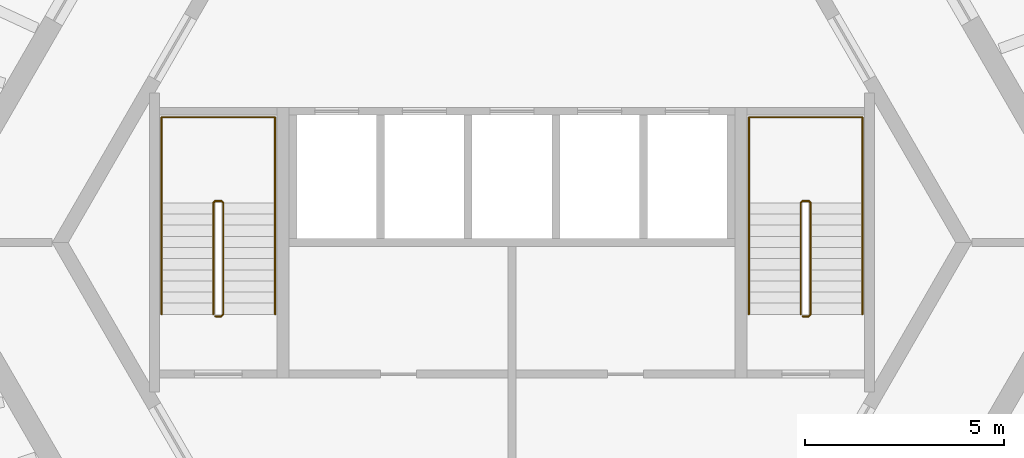
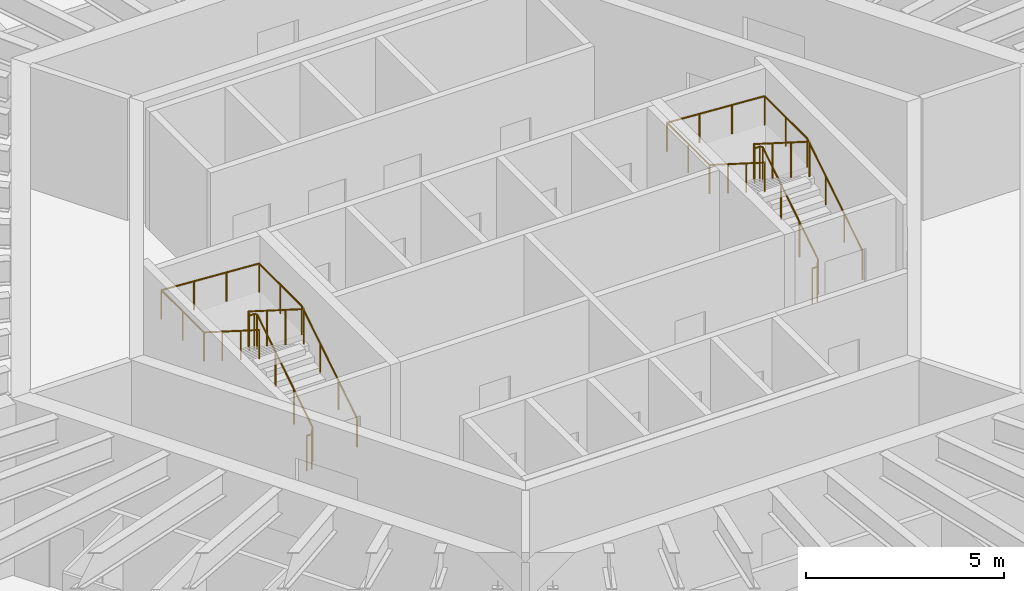
# One storey, part 10 of 10: 4 railings.
"""IFC4 building model written with IfcOpenShell, lengths in metres."""

import ifcopenshell
import ifcopenshell.guid

model = None  # the IFC model being written
_history = None  # IfcOwnerHistory: only IFC2X3 demands one
_inside = {}  # id of a spatial element -> (the spatial element, [elements in it])
_under = {}  # id of a project, library or spatial element -> (it, [spatial elements below it])
_declared = {}  # id of a project -> (the project, [libraries it declares])
_typed = {}  # id of a type object -> (the type object, [elements of that type])
_made_of = {}  # id of a material, layer set ... -> (it, [elements and type objects made of it])


def new_model(schema):
    """Start an empty IFC model of exactly this schema.

    Asked for "IFC4X3", IfcOpenShell would pick the latest addendum, in which some entities
    have other attributes; the version numbers below select the first issue.
    IFC2X3 requires an IfcOwnerHistory on every rooted entity: one is made here for all.
    """
    global model, _history
    if schema == "IFC4X3":
        model = ifcopenshell.file(schema_version=(4, 3, 0, 0))
    else:
        model = ifcopenshell.file(schema=schema)
    _inside.clear()
    _under.clear()
    _declared.clear()
    _typed.clear()
    _made_of.clear()
    _history = None
    if model.schema == "IFC2X3":
        org = make("IfcOrganization", Name="unknown")
        user = make(
            "IfcPersonAndOrganization",
            ThePerson=make("IfcPerson", FamilyName="unknown"),
            TheOrganization=org,
        )
        app = make(
            "IfcApplication",
            ApplicationDeveloper=org,
            Version="unknown",
            ApplicationFullName="unknown",
            ApplicationIdentifier="unknown",
        )
        _history = make(
            "IfcOwnerHistory",
            OwningUser=user,
            OwningApplication=app,
            ChangeAction="ADDED",
            CreationDate=0,
        )
    return model


def make(cls, **values):
    """One entity of the class cls with the attributes given. An attribute that is None is left unset."""
    return model.create_entity(
        cls, **{name: value for name, value in values.items() if value is not None}
    )


def rooted(cls, **values):
    """An entity with a GlobalId (a new one), such as an element, a storey or a relation."""
    return make(cls, GlobalId=ifcopenshell.guid.new(), OwnerHistory=_history, **values)


def si_unit(unit_type, name, prefix=None):
    """IfcSIUnit, for example si_unit("LENGTHUNIT", "METRE", prefix="MILLI")."""
    return make("IfcSIUnit", UnitType=unit_type, Prefix=prefix, Name=name)


def assignment(units):
    """IfcUnitAssignment: the units of a project."""
    return None if units is None else make("IfcUnitAssignment", Units=units)


def point(xyz):
    """IfcCartesianPoint."""
    return None if xyz is None else make("IfcCartesianPoint", Coordinates=xyz)


def direction(xyz):
    """IfcDirection."""
    return None if xyz is None else make("IfcDirection", DirectionRatios=xyz)


def frame(location, z_axis=None, x_axis=None):
    """IfcAxis2Placement3D, a coordinate frame: its origin and axes. An axis left out is left unset."""
    return make(
        "IfcAxis2Placement3D",
        Location=point(location),
        Axis=direction(z_axis),
        RefDirection=direction(x_axis),
    )


def frame_2d(location, x_axis=None):
    """IfcAxis2Placement2D, a coordinate frame in the plane: its origin and x axis."""
    return make(
        "IfcAxis2Placement2D", Location=point(location), RefDirection=direction(x_axis)
    )


def origin():
    """The frame at (0, 0, 0) with its axes left unset."""
    return frame((0.0, 0.0, 0.0))


def origin_2d():
    """The frame at (0, 0) in the plane with its x axis left unset."""
    return frame_2d((0.0, 0.0))


def place(relative_to, where):
    """IfcLocalPlacement: puts the frame where relative to a parent placement (None: the world)."""
    return make(
        "IfcLocalPlacement", PlacementRelTo=relative_to, RelativePlacement=where
    )


def context(
    kind, dimensions, precision=None, world=None, true_north=None, identifier=None
):
    """IfcGeometricRepresentationContext, for example the 3D "Model" context."""
    return make(
        "IfcGeometricRepresentationContext",
        ContextIdentifier=identifier,
        ContextType=kind,
        CoordinateSpaceDimension=dimensions,
        Precision=precision,
        WorldCoordinateSystem=world,
        TrueNorth=true_north,
    )


def subcontext(parent, identifier, kind, view, scale=None):
    """IfcGeometricRepresentationSubContext, for example "Body" below "Model"."""
    return make(
        "IfcGeometricRepresentationSubContext",
        ContextIdentifier=identifier,
        ContextType=kind,
        ParentContext=parent,
        TargetScale=scale,
        TargetView=view,
    )


def project(units=None, contexts=None):
    """IfcProject with its units and contexts."""
    return rooted(
        "IfcProject",
        Name="project",
        RepresentationContexts=contexts,
        UnitsInContext=assignment(units),
    )


def spatial(cls, under=None, at=None, **own):
    """A site, building, storey or space (cls), placed at a placement, below another one or the project."""
    s = rooted(cls, ObjectPlacement=at, **own)
    if under is not None:
        _under.setdefault(under.id(), (under, []))[1].append(s)
    return s


def profile(cls, at=None, kind="AREA", **sizes):
    """A parametric profile (cls). Its sizes go by their IFC names, for example OverallWidth=200.0."""
    return make(cls, ProfileType=kind, Position=at, **sizes)


def circle(**sizes):
    """IfcCircleProfileDef."""
    return profile("IfcCircleProfileDef", **sizes)


def extrude(swept, where, along, depth):
    """IfcExtrudedAreaSolid: the profile swept, set in the frame where, extruded along a direction by depth."""
    return make(
        "IfcExtrudedAreaSolid",
        SweptArea=swept,
        Position=where,
        ExtrudedDirection=direction(along),
        Depth=depth,
    )


def shape(context_of_items, identifier, shape_type, items):
    """IfcShapeRepresentation: the items that make up one representation, for example the "Body"."""
    return make(
        "IfcShapeRepresentation",
        ContextOfItems=context_of_items,
        RepresentationIdentifier=identifier,
        RepresentationType=shape_type,
        Items=items,
    )


def material(Name=None, Category=None):
    """IfcMaterial."""
    return make("IfcMaterial", Name=Name, Category=Category)


def made_of(thing, what):
    """Note that an element or type object is made of a material, layer set ...; save() writes the relation."""
    if what is not None:
        _made_of.setdefault(what.id(), (what, []))[1].append(thing)
    return thing


def type_object(cls, material=None, **own):
    """A type object (cls), such as IfcWallType, which elements share."""
    return made_of(rooted(cls, **own), material)


def element(
    cls,
    number,
    at=None,
    inside=None,
    cuts=None,
    type_object=None,
    material=None,
    context=None,
    identifier="Body",
    shape_type=None,
    held_by="IfcProductDefinitionShape",
    body=None,
    shapes=None,
    **own,
):
    """One element of the class cls, such as IfcWall. Its Tag is "e" and its number.

    at: its placement. inside: the storey or other place that contains it. cuts: it is an
    opening in that element (IfcRelVoidsElement). A single representation is given by context,
    identifier, shape_type and body (its items); several are given by shapes. held_by: the class
    of the entity that holds the representations. save() writes the other relations.
    """
    e = rooted(cls, Tag="e%d" % number, ObjectPlacement=at, **own)
    if body is not None:
        shapes = [shape(context, identifier, shape_type, body)]
    if shapes is not None:
        e.Representation = make(held_by, Representations=shapes)
    if inside is not None:
        _inside.setdefault(inside.id(), (inside, []))[1].append(e)
    if cuts is not None:
        rooted(
            "IfcRelVoidsElement", RelatingBuildingElement=cuts, RelatedOpeningElement=e
        )
    if type_object is not None:
        _typed.setdefault(type_object.id(), (type_object, []))[1].append(e)
    return made_of(e, material)


def aggregate(whole, parts):
    """IfcRelAggregates: a whole, such as a stair, and the parts it consists of."""
    return rooted("IfcRelAggregates", RelatingObject=whole, RelatedObjects=parts)


def save(model, path):
    """Write the relations noted so far, then the file.

    IfcRelAggregates (storeys below a building ...), IfcRelContainedInSpatialStructure (elements
    in a storey), IfcRelDefinesByType, IfcRelAssociatesMaterial and IfcRelDeclares: one each for
    every whole, place, type object, material and project.
    """
    for whole, parts in _under.values():
        aggregate(whole, parts)
    for where, things in _inside.values():
        rooted(
            "IfcRelContainedInSpatialStructure",
            RelatedElements=things,
            RelatingStructure=where,
        )
    for kind, things in _typed.values():
        rooted("IfcRelDefinesByType", RelatedObjects=things, RelatingType=kind)
    for what, things in _made_of.values():
        rooted("IfcRelAssociatesMaterial", RelatedObjects=things, RelatingMaterial=what)
    for by, libraries in _declared.values():
        rooted("IfcRelDeclares", RelatingContext=by, RelatedDefinitions=libraries)
    model.write(path)


model = new_model("IFC4")

# Units and contexts
model_context = context("Model", 3, precision=1e-05, world=origin(), true_north=direction((0.0, 1.0)))
body_context = subcontext(model_context, "Body", "Model", "MODEL_VIEW")
ifc_project = project(units=[si_unit("LENGTHUNIT", "METRE"), si_unit("AREAUNIT", "SQUARE_METRE"), si_unit("VOLUMEUNIT", "CUBIC_METRE"), si_unit("PLANEANGLEUNIT", "RADIAN"), si_unit("MASSUNIT", "GRAM", prefix="KILO")], contexts=[model_context])

# Site, building, storey
site_placement = place(None, origin())
site = spatial("IfcSite", under=ifc_project, at=site_placement, CompositionType="ELEMENT")
building_placement = place(site_placement, origin())
building = spatial("IfcBuilding", under=site, at=building_placement, Name="Tarnside Tower", CompositionType="ELEMENT")
storey_placement = place(building_placement, frame((0.0, 0.0, 191.699951171875)))
storey = spatial("IfcBuildingStorey", under=building, at=storey_placement, Name="L45", CompositionType="ELEMENT", Elevation=191.699951171875)

# Railings
ifc_material = material(Name="Stainless steel", Category="steel")
railing_type_1 = type_object("IfcRailingType", Name="Stair guard 1100", PredefinedType="GUARDRAIL", material=ifc_material)
railing_1_placement = place(storey_placement, frame((7.300048828125, -1.85009765625, 0.0)))
element("IfcRailing", 1, at=railing_1_placement, inside=storey, type_object=railing_type_1, Name="L45 ST1 stair guard 1", PredefinedType="GUARDRAIL", context=body_context, shape_type="SweptSolid", body=[
    extrude(circle(Radius=0.02392578125, at=origin_2d()), frame((0.0, 0.0, 1.076171875), z_axis=(1.0, 0.0, 0.0), x_axis=(0.0, 1.0, 0.0)), (0.0, 0.0, 1.0), 0.14990234375),
    extrude(circle(Radius=0.02392578125, at=origin_2d()), frame((0.14990234375, 0.0, 1.076171875), z_axis=(0.262233686654, 0.262233686654, 0.928691007369), x_axis=(-0.707106781187, 0.707106781187, 0.0)), (0.0, 0.0, 1.0), 0.19091796875),
    extrude(circle(Radius=0.02392578125, at=origin_2d()), frame((0.199951171875, 0.050048828125, 1.25341796875), z_axis=(0.0, 0.844908973607, 0.534910110503), x_axis=(-1.0, 0.0, 0.0)), (0.0, 0.0, 1.0), 3.31396484375),
    extrude(circle(Radius=0.02392578125, at=origin_2d()), frame((0.199951171875, 2.85009765625, 3.02587890625), z_axis=(-0.707106781187, 0.707106781187, 0.0), x_axis=(-0.707106781187, -0.707106781187, 0.0)), (0.0, 0.0, 1.0), 0.07080078125),
    extrude(circle(Radius=0.02392578125, at=origin_2d()), frame((0.14990234375, 2.900146484375, 3.02587890625), z_axis=(-1.0, 0.0, 0.0), x_axis=(0.0, -1.0, 0.0)), (0.0, 0.0, 1.0), 0.14990234375),
    extrude(circle(Radius=0.02392578125, at=origin_2d()), frame((0.0, 2.900146484375, 3.02587890625), z_axis=(-0.261922500866, -0.261922500866, 0.928866625022), x_axis=(0.707106781187, -0.707106781187, 0.0)), (0.0, 0.0, 1.0), 0.191162109375),
    extrude(circle(Radius=0.02392578125, at=origin_2d()), frame((-0.050048828125, 2.85009765625, 3.20361328125), z_axis=(0.0, -0.844908973607, 0.534910110503), x_axis=(1.0, 0.0, 0.0)), (0.0, 0.0, 1.0), 3.31396484375),
    extrude(circle(Radius=0.02099609375, at=origin_2d()), origin(), (0.0, 0.0, 1.0), 1.052001953125),
    extrude(circle(Radius=0.02099609375, at=origin_2d()), frame((0.14990234375, 0.0, 0.0)), (0.0, 0.0, 1.0), 1.052001953125),
    extrude(circle(Radius=0.02099609375, at=origin_2d()), frame((0.199951171875, 0.050048828125, 0.17724609375)), (0.0, 0.0, 1.0), 1.052001953125),
    extrude(circle(Radius=0.02099609375, at=origin_2d()), frame((0.199951171875, 0.9833984375, 0.76806640625)), (0.0, 0.0, 1.0), 1.052001953125),
    extrude(circle(Radius=0.02099609375, at=origin_2d()), frame((0.199951171875, 1.916748046875, 1.359130859375)), (0.0, 0.0, 1.0), 1.052001953125),
    extrude(circle(Radius=0.02099609375, at=origin_2d()), frame((0.199951171875, 2.85009765625, 1.949951171875)), (0.0, 0.0, 1.0), 1.052001953125),
    extrude(circle(Radius=0.02099609375, at=origin_2d()), frame((0.14990234375, 2.900146484375, 1.949951171875)), (0.0, 0.0, 1.0), 1.052001953125),
    extrude(circle(Radius=0.02099609375, at=origin_2d()), frame((0.0, 2.900146484375, 1.949951171875)), (0.0, 0.0, 1.0), 1.052001953125),
    extrude(circle(Radius=0.02099609375, at=origin_2d()), frame((-0.050048828125, 2.85009765625, 2.12744140625)), (0.0, 0.0, 1.0), 1.052001953125),
    extrude(circle(Radius=0.02099609375, at=origin_2d()), frame((-0.050048828125, 1.916748046875, 2.71826171875)), (0.0, 0.0, 1.0), 1.052001953125),
    extrude(circle(Radius=0.02099609375, at=origin_2d()), frame((-0.050048828125, 0.9833984375, 3.309326171875)), (0.0, 0.0, 1.0), 1.052001953125),
    extrude(circle(Radius=0.02099609375, at=origin_2d()), frame((-0.050048828125, 0.050048828125, 3.900146484375)), (0.0, 0.0, 1.0), 1.052001953125),
])
railing_2_placement = place(storey_placement, frame((-7.449951171875, -1.85009765625, 0.0)))
element("IfcRailing", 2, at=railing_2_placement, inside=storey, type_object=railing_type_1, Name="L45 ST2 stair guard 1", PredefinedType="GUARDRAIL", context=body_context, shape_type="SweptSolid", body=[
    extrude(circle(Radius=0.02392578125, at=origin_2d()), frame((0.0, 0.0, 1.076171875), z_axis=(1.0, 0.0, 0.0), x_axis=(0.0, 1.0, 0.0)), (0.0, 0.0, 1.0), 0.14990234375),
    extrude(circle(Radius=0.02392578125, at=origin_2d()), frame((0.14990234375, 0.0, 1.076171875), z_axis=(0.262233686654, 0.262233686654, 0.928691007369), x_axis=(-0.707106781187, 0.707106781187, 0.0)), (0.0, 0.0, 1.0), 0.19091796875),
    extrude(circle(Radius=0.02392578125, at=origin_2d()), frame((0.199951171875, 0.050048828125, 1.25341796875), z_axis=(0.0, 0.844908973607, 0.534910110503), x_axis=(-1.0, 0.0, 0.0)), (0.0, 0.0, 1.0), 3.31396484375),
    extrude(circle(Radius=0.02392578125, at=origin_2d()), frame((0.199951171875, 2.85009765625, 3.02587890625), z_axis=(-0.707106781187, 0.707106781187, 0.0), x_axis=(-0.707106781187, -0.707106781187, 0.0)), (0.0, 0.0, 1.0), 0.07080078125),
    extrude(circle(Radius=0.02392578125, at=origin_2d()), frame((0.14990234375, 2.900146484375, 3.02587890625), z_axis=(-1.0, 0.0, 0.0), x_axis=(0.0, -1.0, 0.0)), (0.0, 0.0, 1.0), 0.14990234375),
    extrude(circle(Radius=0.02392578125, at=origin_2d()), frame((0.0, 2.900146484375, 3.02587890625), z_axis=(-0.261922500866, -0.261922500866, 0.928866625022), x_axis=(0.707106781187, -0.707106781187, 0.0)), (0.0, 0.0, 1.0), 0.191162109375),
    extrude(circle(Radius=0.02392578125, at=origin_2d()), frame((-0.050048828125, 2.85009765625, 3.20361328125), z_axis=(0.0, -0.844908973607, 0.534910110503), x_axis=(1.0, 0.0, 0.0)), (0.0, 0.0, 1.0), 3.31396484375),
    extrude(circle(Radius=0.02099609375, at=origin_2d()), origin(), (0.0, 0.0, 1.0), 1.052001953125),
    extrude(circle(Radius=0.02099609375, at=origin_2d()), frame((0.14990234375, 0.0, 0.0)), (0.0, 0.0, 1.0), 1.052001953125),
    extrude(circle(Radius=0.02099609375, at=origin_2d()), frame((0.199951171875, 0.050048828125, 0.17724609375)), (0.0, 0.0, 1.0), 1.052001953125),
    extrude(circle(Radius=0.02099609375, at=origin_2d()), frame((0.199951171875, 0.9833984375, 0.76806640625)), (0.0, 0.0, 1.0), 1.052001953125),
    extrude(circle(Radius=0.02099609375, at=origin_2d()), frame((0.199951171875, 1.916748046875, 1.359130859375)), (0.0, 0.0, 1.0), 1.052001953125),
    extrude(circle(Radius=0.02099609375, at=origin_2d()), frame((0.199951171875, 2.85009765625, 1.949951171875)), (0.0, 0.0, 1.0), 1.052001953125),
    extrude(circle(Radius=0.02099609375, at=origin_2d()), frame((0.14990234375, 2.900146484375, 1.949951171875)), (0.0, 0.0, 1.0), 1.052001953125),
    extrude(circle(Radius=0.02099609375, at=origin_2d()), frame((0.0, 2.900146484375, 1.949951171875)), (0.0, 0.0, 1.0), 1.052001953125),
    extrude(circle(Radius=0.02099609375, at=origin_2d()), frame((-0.050048828125, 2.85009765625, 2.12744140625)), (0.0, 0.0, 1.0), 1.052001953125),
    extrude(circle(Radius=0.02099609375, at=origin_2d()), frame((-0.050048828125, 1.916748046875, 2.71826171875)), (0.0, 0.0, 1.0), 1.052001953125),
    extrude(circle(Radius=0.02099609375, at=origin_2d()), frame((-0.050048828125, 0.9833984375, 3.309326171875)), (0.0, 0.0, 1.0), 1.052001953125),
    extrude(circle(Radius=0.02099609375, at=origin_2d()), frame((-0.050048828125, 0.050048828125, 3.900146484375)), (0.0, 0.0, 1.0), 1.052001953125),
])
railing_type_2 = type_object("IfcRailingType", Name="Stair handrail 900", PredefinedType="HANDRAIL", material=ifc_material)
railing_3_placement = place(storey_placement, frame((8.800048828125, -1.800048828125, 0.17724609375)))
element("IfcRailing", 3, at=railing_3_placement, inside=storey, type_object=railing_type_2, Name="L45 ST1 stair handrail 1", PredefinedType="HANDRAIL", context=body_context, shape_type="SweptSolid", body=[
    extrude(circle(Radius=0.02392578125, at=origin_2d()), frame((0.0, 0.0, 0.8857421875), z_axis=(0.0, 0.844908973607, 0.534910110503), x_axis=(-1.0, 0.0, 0.0)), (0.0, 0.0, 1.0), 3.31396484375),
    extrude(circle(Radius=0.02392578125, at=origin_2d()), frame((0.0, 2.800048828125, 2.65869140625), z_axis=(0.0, 1.0, 0.0), x_axis=(-1.0, 0.0, 0.0)), (0.0, 0.0, 1.0), 2.14990234375),
    extrude(circle(Radius=0.02392578125, at=origin_2d()), frame((0.0, 4.949951171875, 2.65869140625), z_axis=(-0.998066525363, 0.0, 0.062154733933), x_axis=(0.0, -1.0, 0.0)), (0.0, 0.0, 1.0), 2.855712890625),
    extrude(circle(Radius=0.02392578125, at=origin_2d()), frame((-2.85009765625, 4.949951171875, 2.8359375), z_axis=(0.0, -1.0, 0.0), x_axis=(1.0, 0.0, 0.0)), (0.0, 0.0, 1.0), 2.14990234375),
    extrude(circle(Radius=0.02392578125, at=origin_2d()), frame((-2.85009765625, 2.800048828125, 2.8359375), z_axis=(0.0, -0.844908973607, 0.534910110503), x_axis=(1.0, 0.0, 0.0)), (0.0, 0.0, 1.0), 3.31396484375),
    extrude(circle(Radius=0.02099609375, at=origin_2d()), origin(), (0.0, 0.0, 1.0), 0.86181640625),
    extrude(circle(Radius=0.02099609375, at=origin_2d()), frame((0.0, 0.933349609375, 0.5908203125)), (0.0, 0.0, 1.0), 0.86181640625),
    extrude(circle(Radius=0.02099609375, at=origin_2d()), frame((0.0, 1.86669921875, 1.181884765625)), (0.0, 0.0, 1.0), 0.86181640625),
    extrude(circle(Radius=0.02099609375, at=origin_2d()), frame((0.0, 2.800048828125, 1.772705078125)), (0.0, 0.0, 1.0), 0.86181640625),
    extrude(circle(Radius=0.02099609375, at=origin_2d()), frame((0.0, 3.875, 1.772705078125)), (0.0, 0.0, 1.0), 0.86181640625),
    extrude(circle(Radius=0.02099609375, at=origin_2d()), frame((0.0, 4.949951171875, 1.772705078125)), (0.0, 0.0, 1.0), 0.86181640625),
    extrude(circle(Radius=0.02099609375, at=origin_2d()), frame((-0.949951171875, 4.949951171875, 1.831787109375)), (0.0, 0.0, 1.0), 0.86181640625),
    extrude(circle(Radius=0.02099609375, at=origin_2d()), frame((-1.900146484375, 4.949951171875, 1.89111328125)), (0.0, 0.0, 1.0), 0.86181640625),
    extrude(circle(Radius=0.02099609375, at=origin_2d()), frame((-2.85009765625, 4.949951171875, 1.9501953125)), (0.0, 0.0, 1.0), 0.86181640625),
    extrude(circle(Radius=0.02099609375, at=origin_2d()), frame((-2.85009765625, 3.875, 1.9501953125)), (0.0, 0.0, 1.0), 0.86181640625),
    extrude(circle(Radius=0.02099609375, at=origin_2d()), frame((-2.85009765625, 2.800048828125, 1.9501953125)), (0.0, 0.0, 1.0), 0.86181640625),
    extrude(circle(Radius=0.02099609375, at=origin_2d()), frame((-2.85009765625, 1.86669921875, 2.541015625)), (0.0, 0.0, 1.0), 0.86181640625),
    extrude(circle(Radius=0.02099609375, at=origin_2d()), frame((-2.85009765625, 0.933349609375, 3.132080078125)), (0.0, 0.0, 1.0), 0.86181640625),
    extrude(circle(Radius=0.02099609375, at=origin_2d()), frame((-2.85009765625, 0.0, 3.722900390625)), (0.0, 0.0, 1.0), 0.86181640625),
])
railing_4_placement = place(storey_placement, frame((-5.949951171875, -1.800048828125, 0.17724609375)))
element("IfcRailing", 4, at=railing_4_placement, inside=storey, type_object=railing_type_2, Name="L45 ST2 stair handrail 1", PredefinedType="HANDRAIL", context=body_context, shape_type="SweptSolid", body=[
    extrude(circle(Radius=0.02392578125, at=origin_2d()), frame((0.0, 0.0, 0.8857421875), z_axis=(0.0, 0.844908973607, 0.534910110503), x_axis=(-1.0, 0.0, 0.0)), (0.0, 0.0, 1.0), 3.31396484375),
    extrude(circle(Radius=0.02392578125, at=origin_2d()), frame((0.0, 2.800048828125, 2.65869140625), z_axis=(0.0, 1.0, 0.0), x_axis=(-1.0, 0.0, 0.0)), (0.0, 0.0, 1.0), 2.14990234375),
    extrude(circle(Radius=0.02392578125, at=origin_2d()), frame((0.0, 4.949951171875, 2.65869140625), z_axis=(-0.998066525363, 0.0, 0.062154733933), x_axis=(0.0, -1.0, 0.0)), (0.0, 0.0, 1.0), 2.855712890625),
    extrude(circle(Radius=0.02392578125, at=origin_2d()), frame((-2.85009765625, 4.949951171875, 2.8359375), z_axis=(0.0, -1.0, 0.0), x_axis=(1.0, 0.0, 0.0)), (0.0, 0.0, 1.0), 2.14990234375),
    extrude(circle(Radius=0.02392578125, at=origin_2d()), frame((-2.85009765625, 2.800048828125, 2.8359375), z_axis=(0.0, -0.844908973607, 0.534910110503), x_axis=(1.0, 0.0, 0.0)), (0.0, 0.0, 1.0), 3.31396484375),
    extrude(circle(Radius=0.02099609375, at=origin_2d()), origin(), (0.0, 0.0, 1.0), 0.86181640625),
    extrude(circle(Radius=0.02099609375, at=origin_2d()), frame((0.0, 0.933349609375, 0.5908203125)), (0.0, 0.0, 1.0), 0.86181640625),
    extrude(circle(Radius=0.02099609375, at=origin_2d()), frame((0.0, 1.86669921875, 1.181884765625)), (0.0, 0.0, 1.0), 0.86181640625),
    extrude(circle(Radius=0.02099609375, at=origin_2d()), frame((0.0, 2.800048828125, 1.772705078125)), (0.0, 0.0, 1.0), 0.86181640625),
    extrude(circle(Radius=0.02099609375, at=origin_2d()), frame((0.0, 3.875, 1.772705078125)), (0.0, 0.0, 1.0), 0.86181640625),
    extrude(circle(Radius=0.02099609375, at=origin_2d()), frame((0.0, 4.949951171875, 1.772705078125)), (0.0, 0.0, 1.0), 0.86181640625),
    extrude(circle(Radius=0.02099609375, at=origin_2d()), frame((-0.949951171875, 4.949951171875, 1.831787109375)), (0.0, 0.0, 1.0), 0.86181640625),
    extrude(circle(Radius=0.02099609375, at=origin_2d()), frame((-1.900146484375, 4.949951171875, 1.89111328125)), (0.0, 0.0, 1.0), 0.86181640625),
    extrude(circle(Radius=0.02099609375, at=origin_2d()), frame((-2.85009765625, 4.949951171875, 1.9501953125)), (0.0, 0.0, 1.0), 0.86181640625),
    extrude(circle(Radius=0.02099609375, at=origin_2d()), frame((-2.85009765625, 3.875, 1.9501953125)), (0.0, 0.0, 1.0), 0.86181640625),
    extrude(circle(Radius=0.02099609375, at=origin_2d()), frame((-2.85009765625, 2.800048828125, 1.9501953125)), (0.0, 0.0, 1.0), 0.86181640625),
    extrude(circle(Radius=0.02099609375, at=origin_2d()), frame((-2.85009765625, 1.86669921875, 2.541015625)), (0.0, 0.0, 1.0), 0.86181640625),
    extrude(circle(Radius=0.02099609375, at=origin_2d()), frame((-2.85009765625, 0.933349609375, 3.132080078125)), (0.0, 0.0, 1.0), 0.86181640625),
    extrude(circle(Radius=0.02099609375, at=origin_2d()), frame((-2.85009765625, 0.0, 3.722900390625)), (0.0, 0.0, 1.0), 0.86181640625),
])

save(model, "model.ifc")
